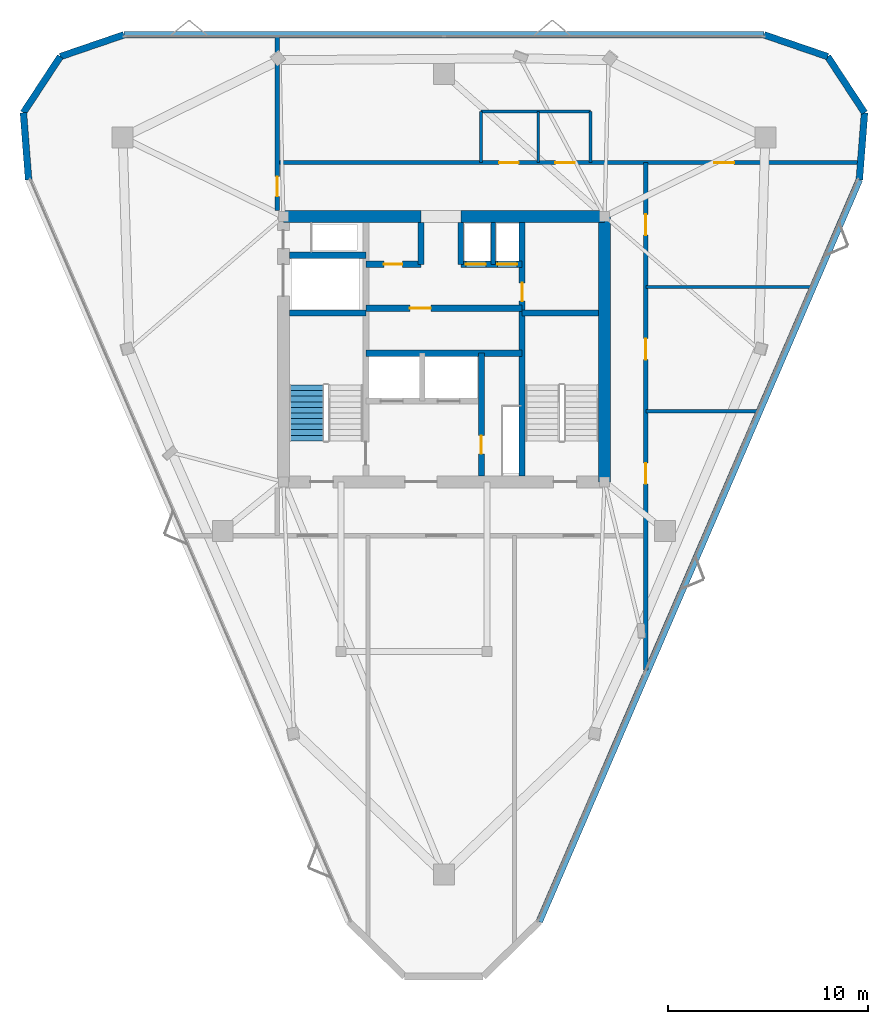
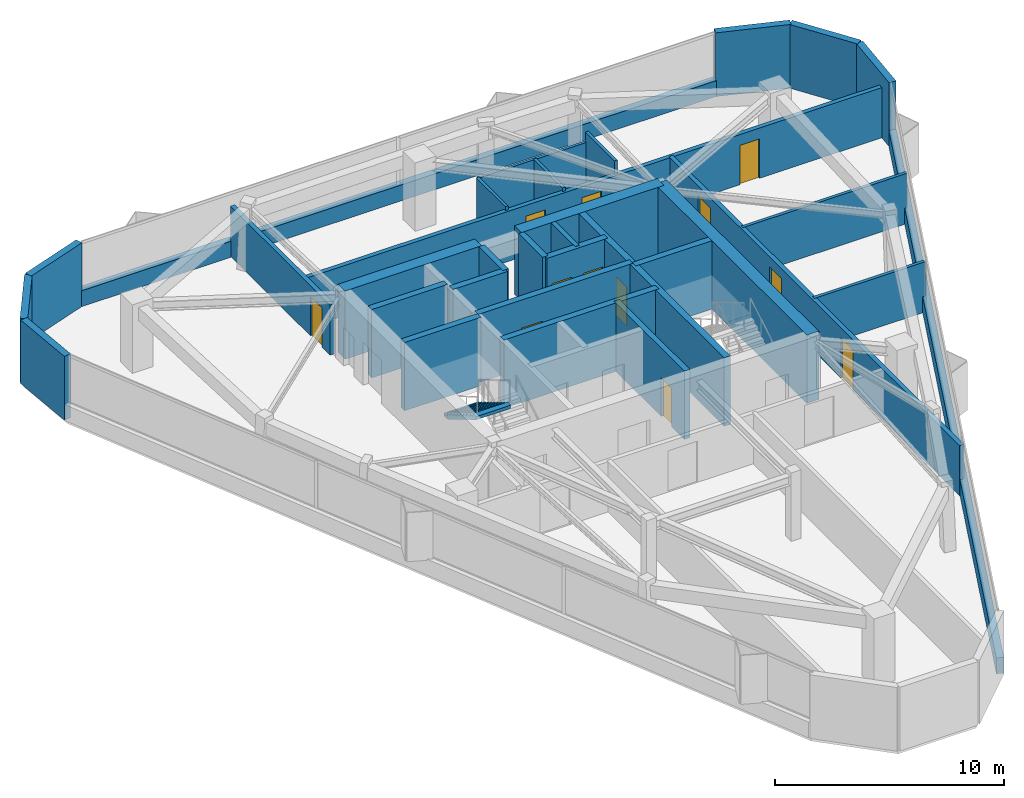
# One storey, part 7 of 9: 32 walls, 13 doors, 1 stair flight, 13 openings, 1 element without a shape of its own.
"""IFC4 building model written with IfcOpenShell, lengths in metres."""

from ifc_helpers import new_model, si_unit, direction, frame, frame_2d, origin, place, context, subcontext, project, spatial, polyline, rectangle, outline, extrude, material, layer, layer_set, type_object, element, fill, aggregate, save


model = new_model("IFC4")

# Units and contexts
model_context = context("Model", 3, precision=1e-05, world=origin(), true_north=direction((0.0, 1.0)))
body_context = subcontext(model_context, "Body", "Model", "MODEL_VIEW")
ifc_project = project(units=[si_unit("LENGTHUNIT", "METRE"), si_unit("AREAUNIT", "SQUARE_METRE"), si_unit("VOLUMEUNIT", "CUBIC_METRE"), si_unit("PLANEANGLEUNIT", "RADIAN"), si_unit("MASSUNIT", "GRAM", prefix="KILO")], contexts=[model_context])

# Site, building, storey
site_placement = place(None, origin())
site = spatial("IfcSite", under=ifc_project, at=site_placement, CompositionType="ELEMENT")
building_placement = place(site_placement, origin())
building = spatial("IfcBuilding", under=site, at=building_placement, Name="Talyreon Biosciences Tower", CompositionType="ELEMENT")
storey_placement = place(building_placement, frame((0.0, 0.0, 294.75)))
storey = spatial("IfcBuildingStorey", under=building, at=storey_placement, Name="L78", CompositionType="ELEMENT", Elevation=294.75)

# Walls
ifc_material_1 = material(Name="Concrete C50/60", Category="concrete")
ifc_layer_1 = layer(ifc_material_1, 0.219970703125)
ifc_layer_set_1 = layer_set([ifc_layer_1], Name="Concrete C50/60")
wall_type_1 = type_object("IfcWallType", Name="CoreShearWall_220", PredefinedType="SHEAR", material=ifc_layer_set_1)
wall_1_placement = place(storey_placement, frame((68.4599609375, 72.25, 0.0), z_axis=(0.0, 0.0, 1.0), x_axis=(0.0, 1.0, 0.0)))
element("IfcWall", 1, at=wall_1_placement, inside=storey, type_object=wall_type_1, Name="L78 Core Shaft Wall SWPHD", PredefinedType="SHEAR", context=body_context, shape_type="SweptSolid", body=[
    extrude(rectangle(XDim=2.10009765625, YDim=0.219970703125, at=frame_2d((1.050048828125, 0.0))), origin(), (0.0, 0.0, 1.0), 3.64990234375),
])
ifc_layer_2 = layer(ifc_material_1, 0.280029296875)
ifc_layer_set_2 = layer_set([ifc_layer_2], Name="Concrete C50/60")
wall_type_2 = type_object("IfcWallType", Name="CoreShearWall_280", PredefinedType="SHEAR", material=ifc_layer_set_2)
for number, where, z_axis, x_axis, name in (
    (2, (64.85009765625, 72.25, 0.0), (0.0, 0.0, 1.0), (0.0, 1.0, 0.0), "L78 Core Shaft Wall SWTHW"),
    (3, (66.85009765625, 72.25, 0.0), (0.0, 0.0, 1.0), (0.0, 1.0, 0.0), "L78 Core Shaft Wall SWTHE"),
):
    element("IfcWall", number, at=place(storey_placement, frame(where, z_axis=z_axis, x_axis=x_axis)), inside=storey, type_object=wall_type_2, Name=name, PredefinedType="SHEAR", context=body_context, shape_type="SweptSolid", body=[
        extrude(rectangle(XDim=2.10009765625, YDim=0.280029296875, at=frame_2d((1.050048828125, 0.0))), origin(), (0.0, 0.0, 1.0), 3.64990234375),
    ])

# Wall, opening, door
wall_2_placement = place(storey_placement, frame((67.8798828125, 61.64990234375, 0.0), z_axis=(0.0, 0.0, 1.0), x_axis=(0.0, 1.0, 0.0)))
wall_2 = element("IfcWall", 4, at=wall_2_placement, inside=storey, type_object=wall_type_2, Name="L78 Core Shaft Wall SWFFE", PredefinedType="SHEAR", context=body_context, shape_type="SweptSolid", body=[
    extrude(rectangle(XDim=6.150146484375, YDim=0.280029296875, at=frame_2d((3.0751953125, 0.0))), origin(), (0.0, 0.0, 1.0), 3.64990234375),
])
opening_1_placement = place(wall_2_placement, frame((1.10009765625, 0.0, 0.0)))
opening_1 = element("IfcOpeningElement", 5, at=opening_1_placement, cuts=wall_2, Name="Opening DR-L78-RSE", PredefinedType="OPENING", context=body_context, shape_type="SweptSolid", body=[
    extrude(rectangle(XDim=0.919921875, YDim=2.050048828125, at=frame_2d((0.4599609375, 1.02490234375))), frame((0.0, 0.14990234375, 0.0), z_axis=(0.0, -1.0, 0.0), x_axis=(1.0, 0.0, 0.0)), (0.0, 0.0, 1.0), 0.300048828125),
])
ifc_material_2 = material(Name="Painted steel fire-rated riser door", Category="steel")
door_type_1 = type_object("IfcDoorType", Name="RiserPlantAccessDoor_920x2050", OperationType="NOTDEFINED", PredefinedType="DOOR", material=ifc_material_2)
door_1_placement = place(opening_1_placement, origin())
door_1 = element("IfcDoor", 6, at=door_1_placement, inside=storey, type_object=door_type_1, Name="L78 Core Door DR-L78-RSE", OperationType="SINGLE_SWING_RIGHT", OverallHeight=2.050048828125, OverallWidth=0.919921875, PredefinedType="DOOR", context=body_context, shape_type="SweptSolid", body=[
    extrude(rectangle(XDim=0.919921875, YDim=2.050048828125, at=frame_2d((0.4599609375, 1.02490234375))), frame((0.0, 0.02490234375, 0.0), z_axis=(0.0, -1.0, 0.0), x_axis=(1.0, 0.0, 0.0)), (0.0, 0.0, 1.0), 0.050048828125),
])
fill(opening_1, door_1)

ifc_layer_3 = layer(ifc_material_1, 0.320068359375)
ifc_layer_set_3 = layer_set([ifc_layer_3], Name="Concrete C50/60")
wall_type_3 = type_object("IfcWallType", Name="CoreShearWall_320", PredefinedType="SHEAR", material=ifc_layer_set_3)
wall_3_placement = place(storey_placement, frame((69.909912109375, 61.64990234375, 0.0), z_axis=(0.0, 0.0, 1.0), x_axis=(0.0, 1.0, 0.0)))
wall_3 = element("IfcWall", 7, at=wall_3_placement, inside=storey, type_object=wall_type_3, Name="L78 Core Shaft Wall SW2W", PredefinedType="SHEAR", context=body_context, shape_type="SweptSolid", body=[
    extrude(rectangle(XDim=12.7001953125, YDim=0.320068359375, at=frame_2d((6.35009765625, 0.0))), origin(), (0.0, 0.0, 1.0), 3.64990234375),
])
opening_2_placement = place(wall_3_placement, frame((8.75, 0.0, 0.0)))
opening_2 = element("IfcOpeningElement", 8, at=opening_2_placement, cuts=wall_3, Name="Opening DR-L78-CSRV", PredefinedType="OPENING", context=body_context, shape_type="SweptSolid", body=[
    extrude(rectangle(XDim=0.919921875, YDim=2.050048828125, at=frame_2d((0.4599609375, 1.02490234375))), frame((0.0, 0.169921875, 0.0), z_axis=(0.0, -1.0, 0.0), x_axis=(1.0, 0.0, 0.0)), (0.0, 0.0, 1.0), 0.340087890625),
])
door_2_placement = place(opening_2_placement, origin())
door_2 = element("IfcDoor", 9, at=door_2_placement, inside=storey, type_object=door_type_1, Name="L78 Core Door DR-L78-CSRV", OperationType="SINGLE_SWING_RIGHT", OverallHeight=2.050048828125, OverallWidth=0.919921875, PredefinedType="DOOR", context=body_context, shape_type="SweptSolid", body=[
    extrude(rectangle(XDim=0.919921875, YDim=2.050048828125, at=frame_2d((0.4599609375, 1.02490234375))), frame((0.0, 0.02490234375, 0.0), z_axis=(0.0, -1.0, 0.0), x_axis=(1.0, 0.0, 0.0)), (0.0, 0.0, 1.0), 0.050048828125),
])
fill(opening_2, door_2)

# Walls
for number, where, z_axis, x_axis, name in (
    (10, (58.25, 69.81005859375, 0.0), (0.0, 0.0, 1.0), (1.0, 0.0, 0.0), "L78 Core Shaft Wall SW1N"),
    (11, (69.909912109375, 69.81005859375, 0.0), (0.0, 0.0, 1.0), (1.0, 0.0, 0.0), "L78 Core Shaft Wall SW2N"),
    (12, (58.25, 72.699951171875, 0.0), (0.0, 0.0, 1.0), (1.0, 0.0, 0.0), "L78 Core Shaft Wall SWGLN"),
):
    element("IfcWall", number, at=place(storey_placement, frame(where, z_axis=z_axis, x_axis=x_axis)), inside=storey, type_object=wall_type_3, Name=name, PredefinedType="SHEAR", context=body_context, shape_type="SweptSolid", body=[
        extrude(rectangle(XDim=3.840087890625, YDim=0.320068359375, at=frame_2d((1.919921875, 0.0))), origin(), (0.0, 0.0, 1.0), 3.64990234375),
    ])
wall_4_placement = place(storey_placement, frame((62.090087890625, 67.800048828125, 0.0), z_axis=(0.0, 0.0, 1.0), x_axis=(1.0, 0.0, 0.0)))
element("IfcWall", 13, at=wall_4_placement, inside=storey, type_object=wall_type_3, Name="L78 Core Shaft Wall SWSHM", PredefinedType="SHEAR", context=body_context, shape_type="SweptSolid", body=[
    extrude(rectangle(XDim=7.81982421875, YDim=0.320068359375, at=frame_2d((3.909912109375, 0.0))), origin(), (0.0, 0.0, 1.0), 3.64990234375),
])

# Wall, opening, door
wall_5_placement = place(storey_placement, frame((62.090087890625, 70.050048828125, 0.0), z_axis=(0.0, 0.0, 1.0), x_axis=(1.0, 0.0, 0.0)))
wall_5 = element("IfcWall", 14, at=wall_5_placement, inside=storey, type_object=wall_type_3, Name="L78 Core Shaft Wall SWSPN", PredefinedType="SHEAR", context=body_context, shape_type="SweptSolid", body=[
    extrude(rectangle(XDim=7.81982421875, YDim=0.320068359375, at=frame_2d((3.909912109375, 0.0))), origin(), (0.0, 0.0, 1.0), 3.64990234375),
])
opening_3_placement = place(wall_5_placement, frame((2.199951171875, 0.0, 0.0)))
opening_3 = element("IfcOpeningElement", 15, at=opening_3_placement, cuts=wall_5, Name="Opening DR-L78-PLPMFREE", PredefinedType="OPENING", context=body_context, shape_type="SweptSolid", body=[
    extrude(rectangle(XDim=1.050048828125, YDim=2.14990234375, at=frame_2d((0.52490234375, 1.074951171875))), frame((0.0, 0.169921875, 0.0), z_axis=(0.0, -1.0, 0.0), x_axis=(1.0, 0.0, 0.0)), (0.0, 0.0, 1.0), 0.340087890625),
])
ifc_material_3 = material(Name="Acoustic timber-core laboratory door", Category="wood")
door_type_2 = type_object("IfcDoorType", Name="DryLabSingleDoor_1050x2150", OperationType="NOTDEFINED", PredefinedType="DOOR", material=ifc_material_3)
door_3_placement = place(opening_3_placement, origin())
door_3 = element("IfcDoor", 16, at=door_3_placement, inside=storey, type_object=door_type_2, Name="L78 Core Door DR-L78-PLPMFREE", OperationType="SINGLE_SWING_LEFT", OverallHeight=2.14990234375, OverallWidth=1.050048828125, PredefinedType="DOOR", context=body_context, shape_type="SweptSolid", body=[
    extrude(rectangle(XDim=1.050048828125, YDim=2.14990234375, at=frame_2d((0.52490234375, 1.074951171875))), frame((0.0, 0.02490234375, 0.0), z_axis=(0.0, -1.0, 0.0), x_axis=(1.0, 0.0, 0.0)), (0.0, 0.0, 1.0), 0.050048828125),
])
fill(opening_3, door_3)

wall_6_placement = place(storey_placement, frame((62.090087890625, 72.25, 0.0), z_axis=(0.0, 0.0, 1.0), x_axis=(1.0, 0.0, 0.0)))
wall_6 = element("IfcWall", 17, at=wall_6_placement, inside=storey, type_object=wall_type_3, Name="L78 Core Shaft Wall SWNPW", PredefinedType="SHEAR", context=body_context, shape_type="SweptSolid", body=[
    extrude(rectangle(XDim=2.760009765625, YDim=0.320068359375, at=frame_2d((1.3798828125, 0.0))), origin(), (0.0, 0.0, 1.0), 3.64990234375),
])
opening_4_placement = place(wall_6_placement, frame((0.89990234375, 0.0, 0.0)))
opening_4 = element("IfcOpeningElement", 18, at=opening_4_placement, cuts=wall_6, Name="Opening DR-L78-PM2FREE", PredefinedType="OPENING", context=body_context, shape_type="SweptSolid", body=[
    extrude(rectangle(XDim=0.919921875, YDim=2.050048828125, at=frame_2d((0.4599609375, 1.02490234375))), frame((0.0, 0.169921875, 0.0), z_axis=(0.0, -1.0, 0.0), x_axis=(1.0, 0.0, 0.0)), (0.0, 0.0, 1.0), 0.340087890625),
])
door_4_placement = place(opening_4_placement, origin())
door_4 = element("IfcDoor", 19, at=door_4_placement, inside=storey, type_object=door_type_1, Name="L78 Core Door DR-L78-PM2FREE", OperationType="SINGLE_SWING_RIGHT", OverallHeight=2.050048828125, OverallWidth=0.919921875, PredefinedType="DOOR", context=body_context, shape_type="SweptSolid", body=[
    extrude(rectangle(XDim=0.919921875, YDim=2.050048828125, at=frame_2d((0.4599609375, 1.02490234375))), frame((0.0, 0.02490234375, 0.0), z_axis=(0.0, -1.0, 0.0), x_axis=(1.0, 0.0, 0.0)), (0.0, 0.0, 1.0), 0.050048828125),
])
fill(opening_4, door_4)

# Wall, openings, doors
wall_7_placement = place(storey_placement, frame((66.85009765625, 72.25, 0.0), z_axis=(0.0, 0.0, 1.0), x_axis=(1.0, 0.0, 0.0)))
wall_7 = element("IfcWall", 20, at=wall_7_placement, inside=storey, type_object=wall_type_3, Name="L78 Core Shaft Wall SWNPE", PredefinedType="SHEAR", context=body_context, shape_type="SweptSolid", body=[
    extrude(rectangle(XDim=3.059814453125, YDim=0.320068359375, at=frame_2d((1.52978515625, 0.0))), origin(), (0.0, 0.0, 1.0), 3.64990234375),
])
opening_5_placement = place(wall_7_placement, frame((0.25, 0.0, 0.0)))
opening_5 = element("IfcOpeningElement", 21, at=opening_5_placement, cuts=wall_7, Name="Opening LD-L78-PH1", PredefinedType="OPENING", context=body_context, shape_type="SweptSolid", body=[
    extrude(rectangle(XDim=1.0, YDim=2.199951171875, at=frame_2d((0.5, 1.10009765625))), frame((0.0, 0.169921875, 0.0), z_axis=(0.0, -1.0, 0.0), x_axis=(1.0, 0.0, 0.0)), (0.0, 0.0, 1.0), 0.340087890625),
])
opening_6_placement = place(wall_7_placement, frame((1.820068359375, 0.0, 0.0)))
opening_6 = element("IfcOpeningElement", 22, at=opening_6_placement, cuts=wall_7, Name="Opening LD-L78-PH2", PredefinedType="OPENING", context=body_context, shape_type="SweptSolid", body=[
    extrude(rectangle(XDim=1.0, YDim=2.199951171875, at=frame_2d((0.5, 1.10009765625))), frame((0.0, 0.169921875, 0.0), z_axis=(0.0, -1.0, 0.0), x_axis=(1.0, 0.0, 0.0)), (0.0, 0.0, 1.0), 0.340087890625),
])
ifc_material_4 = material(Name="Brushed stainless-steel lift landing door", Category="steel")
door_type_3 = type_object("IfcDoorType", Name="LiftSlidingLandingDoor_1100x2200", OperationType="SLIDING_TO_LEFT", PredefinedType="DOOR", material=ifc_material_4)
door_5_placement = place(opening_5_placement, origin())
door_5 = element("IfcDoor", 23, at=door_5_placement, inside=storey, type_object=door_type_3, Name="L78 Core Door LD-L78-PH1", OperationType="SLIDING_TO_LEFT", OverallHeight=2.199951171875, OverallWidth=1.0, PredefinedType="DOOR", context=body_context, shape_type="SweptSolid", body=[
    extrude(rectangle(XDim=1.0, YDim=2.199951171875, at=frame_2d((0.5, 1.10009765625))), frame((0.0, 0.02490234375, 0.0), z_axis=(0.0, -1.0, 0.0), x_axis=(1.0, 0.0, 0.0)), (0.0, 0.0, 1.0), 0.050048828125),
])
fill(opening_5, door_5)
door_6_placement = place(opening_6_placement, origin())
door_6 = element("IfcDoor", 24, at=door_6_placement, inside=storey, type_object=door_type_3, Name="L78 Core Door LD-L78-PH2", OperationType="SLIDING_TO_LEFT", OverallHeight=2.199951171875, OverallWidth=1.0, PredefinedType="DOOR", context=body_context, shape_type="SweptSolid", body=[
    extrude(rectangle(XDim=1.0, YDim=2.199951171875, at=frame_2d((0.5, 1.10009765625))), frame((0.0, 0.02490234375, 0.0), z_axis=(0.0, -1.0, 0.0), x_axis=(1.0, 0.0, 0.0)), (0.0, 0.0, 1.0), 0.050048828125),
])
fill(opening_6, door_6)

# Walls
ifc_layer_4 = layer(ifc_material_1, 0.60009765625)
ifc_layer_set_4 = layer_set([ifc_layer_4], Name="Concrete C50/60")
wall_type_4 = type_object("IfcWallType", Name="CoreShearWall_600", PredefinedType="SHEAR", material=ifc_layer_set_4)
wall_8_placement = place(storey_placement, frame((74.050048828125, 61.35009765625, 0.0), z_axis=(0.0, 0.0, 1.0), x_axis=(0.0, 1.0, 0.0)))
element("IfcWall", 25, at=wall_8_placement, inside=storey, type_object=wall_type_4, Name="L78 Core Shear Wall E", PredefinedType="SHEAR", context=body_context, shape_type="SweptSolid", body=[
    extrude(rectangle(XDim=13.2998046875, YDim=0.60009765625, at=frame_2d((6.64990234375, 0.0))), origin(), (0.0, 0.0, 1.0), 3.64990234375),
])
wall_9_placement = place(storey_placement, frame((74.050048828125, 74.64990234375, 0.0), z_axis=(0.0, 0.0, 1.0), x_axis=(-1.0, 0.0, 0.0)))
element("IfcWall", 26, at=wall_9_placement, inside=storey, type_object=wall_type_4, Name="L78 Core Shear Wall NE", PredefinedType="SHEAR", context=body_context, shape_type="SweptSolid", body=[
    extrude(rectangle(XDim=7.199951171875, YDim=0.60009765625, at=frame_2d((3.60009765625, 0.0))), origin(), (0.0, 0.0, 1.0), 3.64990234375),
])
wall_10_placement = place(storey_placement, frame((64.85009765625, 74.64990234375, 0.0), z_axis=(0.0, 0.0, 1.0), x_axis=(-1.0, 0.0, 0.0)))
element("IfcWall", 27, at=wall_10_placement, inside=storey, type_object=wall_type_4, Name="L78 Core Shear Wall NW", PredefinedType="SHEAR", context=body_context, shape_type="SweptSolid", body=[
    extrude(rectangle(XDim=6.900146484375, YDim=0.60009765625, at=frame_2d((3.4501953125, 0.0))), origin(), (0.0, 0.0, 1.0), 3.64990234375),
])

# Wall, openings, doors
ifc_material_5 = material(Name="Gypsum fireboard acoustic stud", Category="gypsum")
ifc_layer_5 = layer(ifc_material_5, 0.219970703125)
ifc_layer_set_5 = layer_set([ifc_layer_5], Name="Gypsum fireboard acoustic stud")
wall_type_5 = type_object("IfcWallType", Name="CorridorRatedPartition_220", PredefinedType="PARTITIONING", material=ifc_layer_set_5)
wall_11_placement = place(storey_placement, frame((57.64990234375, 77.35009765625, 0.0), z_axis=(0.0, 0.0, 1.0), x_axis=(1.0, 0.0, 0.0)))
wall_11 = element("IfcWall", 28, at=wall_11_placement, inside=storey, type_object=wall_type_5, Name="L78 Interior Wall IW-L78-COR-N", PredefinedType="PARTITIONING", context=body_context, shape_type="SweptSolid", body=[
    extrude(rectangle(XDim=29.148681640625, YDim=0.219970703125, at=frame_2d((14.57421875, 0.0))), origin(), (0.0, 0.0, 1.0), 2.679931640625),
])
opening_7_placement = place(wall_11_placement, frame((11.110107421875, 0.0, 0.0)))
opening_7 = element("IfcOpeningElement", 29, at=opening_7_placement, cuts=wall_11, Name="Opening DR-L78-WC", PredefinedType="OPENING", context=body_context, shape_type="SweptSolid", body=[
    extrude(rectangle(XDim=0.97998046875, YDim=2.10009765625, at=frame_2d((0.489990234375, 1.050048828125))), frame((0.0, 0.119873046875, 0.0), z_axis=(0.0, -1.0, 0.0), x_axis=(1.0, 0.0, 0.0)), (0.0, 0.0, 1.0), 0.239990234375),
])
opening_8_placement = place(wall_11_placement, frame((13.93505859375, 0.0, 0.0)))
opening_8 = element("IfcOpeningElement", 30, at=opening_8_placement, cuts=wall_11, Name="Opening DR-L78-AWC", PredefinedType="OPENING", context=body_context, shape_type="SweptSolid", body=[
    extrude(rectangle(XDim=0.97998046875, YDim=2.10009765625, at=frame_2d((0.489990234375, 1.050048828125))), frame((0.0, 0.119873046875, 0.0), z_axis=(0.0, -1.0, 0.0), x_axis=(1.0, 0.0, 0.0)), (0.0, 0.0, 1.0), 0.239990234375),
])
opening_9_placement = place(wall_11_placement, frame((21.888916015625, 0.0, 0.0)))
opening_9 = element("IfcOpeningElement", 31, at=opening_9_placement, cuts=wall_11, Name="Opening DR-L78-N1A", PredefinedType="OPENING", context=body_context, shape_type="SweptSolid", body=[
    extrude(rectangle(XDim=1.0, YDim=2.10009765625, at=frame_2d((0.5, 1.050048828125))), frame((0.0, 0.119873046875, 0.0), z_axis=(0.0, -1.0, 0.0), x_axis=(1.0, 0.0, 0.0)), (0.0, 0.0, 1.0), 0.239990234375),
])
ifc_material_6 = material(Name="Laminate moisture-resistant door", Category="wood")
door_type_4 = type_object("IfcDoorType", Name="AccessibleToiletDoor_980x2100", OperationType="NOTDEFINED", PredefinedType="DOOR", material=ifc_material_6)
door_7_placement = place(opening_7_placement, origin())
door_7 = element("IfcDoor", 32, at=door_7_placement, inside=storey, type_object=door_type_4, Name="L78 Interior Door DR-L78-WC", OperationType="SINGLE_SWING_RIGHT", OverallHeight=2.10009765625, OverallWidth=0.97998046875, PredefinedType="DOOR", context=body_context, shape_type="SweptSolid", body=[
    extrude(rectangle(XDim=0.97998046875, YDim=2.10009765625, at=frame_2d((0.489990234375, 1.050048828125))), frame((0.0, 0.02490234375, 0.0), z_axis=(0.0, -1.0, 0.0), x_axis=(1.0, 0.0, 0.0)), (0.0, 0.0, 1.0), 0.050048828125),
])
fill(opening_7, door_7)
door_8_placement = place(opening_8_placement, origin())
door_8 = element("IfcDoor", 33, at=door_8_placement, inside=storey, type_object=door_type_4, Name="L78 Interior Door DR-L78-AWC", OperationType="SINGLE_SWING_RIGHT", OverallHeight=2.10009765625, OverallWidth=0.97998046875, PredefinedType="DOOR", context=body_context, shape_type="SweptSolid", body=[
    extrude(rectangle(XDim=0.97998046875, YDim=2.10009765625, at=frame_2d((0.489990234375, 1.050048828125))), frame((0.0, 0.02490234375, 0.0), z_axis=(0.0, -1.0, 0.0), x_axis=(1.0, 0.0, 0.0)), (0.0, 0.0, 1.0), 0.050048828125),
])
fill(opening_8, door_8)
ifc_material_7 = material(Name="Acoustic oak veneer office door", Category="wood")
door_type_5 = type_object("IfcDoorType", Name="WriteupOfficeDoor_1000x2100", OperationType="NOTDEFINED", PredefinedType="DOOR", material=ifc_material_7)
door_9_placement = place(opening_9_placement, origin())
door_9 = element("IfcDoor", 34, at=door_9_placement, inside=storey, type_object=door_type_5, Name="L78 Interior Door DR-L78-N1A", OperationType="SINGLE_SWING_LEFT", OverallHeight=2.10009765625, OverallWidth=1.0, PredefinedType="DOOR", context=body_context, shape_type="SweptSolid", body=[
    extrude(rectangle(XDim=1.0, YDim=2.10009765625, at=frame_2d((0.5, 1.050048828125))), frame((0.0, 0.02490234375, 0.0), z_axis=(0.0, -1.0, 0.0), x_axis=(1.0, 0.0, 0.0)), (0.0, 0.0, 1.0), 0.050048828125),
])
fill(opening_9, door_9)

# Wall, opening, door
wall_12_placement = place(storey_placement, frame((57.64990234375, 74.949951171875, 0.0), z_axis=(0.0, 0.0, 1.0), x_axis=(0.0, 1.0, 0.0)))
wall_12 = element("IfcWall", 35, at=wall_12_placement, inside=storey, type_object=wall_type_5, Name="L78 Interior Wall IW-L78-WCAP-N", PredefinedType="PARTITIONING", context=body_context, shape_type="SweptSolid", body=[
    extrude(rectangle(XDim=8.71533203125, YDim=0.219970703125, at=frame_2d((4.357666015625, 0.0))), origin(), (0.0, 0.0, 1.0), 2.679931640625),
])
opening_10_placement = place(wall_12_placement, frame((0.699951171875, 0.0, 0.0)))
opening_10 = element("IfcOpeningElement", 36, at=opening_10_placement, cuts=wall_12, Name="Opening DR-L78-W1A", PredefinedType="OPENING", context=body_context, shape_type="SweptSolid", body=[
    extrude(rectangle(XDim=1.0, YDim=2.10009765625, at=frame_2d((0.5, 1.050048828125))), frame((0.0, 0.119873046875, 0.0), z_axis=(0.0, -1.0, 0.0), x_axis=(1.0, 0.0, 0.0)), (0.0, 0.0, 1.0), 0.239990234375),
])
door_10_placement = place(opening_10_placement, origin())
door_10 = element("IfcDoor", 37, at=door_10_placement, inside=storey, type_object=door_type_5, Name="L78 Interior Door DR-L78-W1A", OperationType="SINGLE_SWING_RIGHT", OverallHeight=2.10009765625, OverallWidth=1.0, PredefinedType="DOOR", context=body_context, shape_type="SweptSolid", body=[
    extrude(rectangle(XDim=1.0, YDim=2.10009765625, at=frame_2d((0.5, 1.050048828125))), frame((0.0, 0.02490234375, 0.0), z_axis=(0.0, -1.0, 0.0), x_axis=(1.0, 0.0, 0.0)), (0.0, 0.0, 1.0), 0.050048828125),
])
fill(opening_10, door_10)

# Wall, openings, doors
wall_13_placement = place(storey_placement, frame((76.1201171875, 51.91162109375, 0.0), z_axis=(0.0, 0.0, 1.0), x_axis=(0.0, 1.0, 0.0)))
wall_13 = element("IfcWall", 38, at=wall_13_placement, inside=storey, type_object=wall_type_5, Name="L78 Interior Wall IW-L78-COR-E", PredefinedType="PARTITIONING", context=body_context, shape_type="SweptSolid", body=[
    extrude(rectangle(XDim=25.4384765625, YDim=0.219970703125, at=frame_2d((12.71923828125, 0.0))), origin(), (0.0, 0.0, 1.0), 2.679931640625),
])
opening_11_placement = place(wall_13_placement, frame((9.330078125, 0.0, 0.0)))
opening_11 = element("IfcOpeningElement", 39, at=opening_11_placement, cuts=wall_13, Name="Opening DR-L78-E1A", PredefinedType="OPENING", context=body_context, shape_type="SweptSolid", body=[
    extrude(rectangle(XDim=1.050048828125, YDim=2.14990234375, at=frame_2d((0.52490234375, 1.074951171875))), frame((0.0, 0.119873046875, 0.0), z_axis=(0.0, -1.0, 0.0), x_axis=(1.0, 0.0, 0.0)), (0.0, 0.0, 1.0), 0.239990234375),
])
opening_12_placement = place(wall_13_placement, frame((15.56298828125, 0.0, 0.0)))
opening_12 = element("IfcOpeningElement", 40, at=opening_12_placement, cuts=wall_13, Name="Opening DR-L78-E2A", PredefinedType="OPENING", context=body_context, shape_type="SweptSolid", body=[
    extrude(rectangle(XDim=1.050048828125, YDim=2.14990234375, at=frame_2d((0.52490234375, 1.074951171875))), frame((0.0, 0.119873046875, 0.0), z_axis=(0.0, -1.0, 0.0), x_axis=(1.0, 0.0, 0.0)), (0.0, 0.0, 1.0), 0.239990234375),
])
opening_13_placement = place(wall_13_placement, frame((21.797119140625, 0.0, 0.0)))
opening_13 = element("IfcOpeningElement", 41, at=opening_13_placement, cuts=wall_13, Name="Opening DR-L78-E3A", PredefinedType="OPENING", context=body_context, shape_type="SweptSolid", body=[
    extrude(rectangle(XDim=1.050048828125, YDim=2.14990234375, at=frame_2d((0.52490234375, 1.074951171875))), frame((0.0, 0.119873046875, 0.0), z_axis=(0.0, -1.0, 0.0), x_axis=(1.0, 0.0, 0.0)), (0.0, 0.0, 1.0), 0.239990234375),
])
door_11_placement = place(opening_11_placement, origin())
door_11 = element("IfcDoor", 42, at=door_11_placement, inside=storey, type_object=door_type_2, Name="L78 Interior Door DR-L78-E1A", OperationType="SINGLE_SWING_LEFT", OverallHeight=2.14990234375, OverallWidth=1.050048828125, PredefinedType="DOOR", context=body_context, shape_type="SweptSolid", body=[
    extrude(rectangle(XDim=1.050048828125, YDim=2.14990234375, at=frame_2d((0.52490234375, 1.074951171875))), frame((0.0, 0.02490234375, 0.0), z_axis=(0.0, -1.0, 0.0), x_axis=(1.0, 0.0, 0.0)), (0.0, 0.0, 1.0), 0.050048828125),
])
fill(opening_11, door_11)
door_12_placement = place(opening_12_placement, origin())
door_12 = element("IfcDoor", 43, at=door_12_placement, inside=storey, type_object=door_type_2, Name="L78 Interior Door DR-L78-E2A", OperationType="SINGLE_SWING_RIGHT", OverallHeight=2.14990234375, OverallWidth=1.050048828125, PredefinedType="DOOR", context=body_context, shape_type="SweptSolid", body=[
    extrude(rectangle(XDim=1.050048828125, YDim=2.14990234375, at=frame_2d((0.52490234375, 1.074951171875))), frame((0.0, 0.02490234375, 0.0), z_axis=(0.0, -1.0, 0.0), x_axis=(1.0, 0.0, 0.0)), (0.0, 0.0, 1.0), 0.050048828125),
])
fill(opening_12, door_12)
door_13_placement = place(opening_13_placement, origin())
door_13 = element("IfcDoor", 44, at=door_13_placement, inside=storey, type_object=door_type_2, Name="L78 Interior Door DR-L78-E3A", OperationType="SINGLE_SWING_RIGHT", OverallHeight=2.14990234375, OverallWidth=1.050048828125, PredefinedType="DOOR", context=body_context, shape_type="SweptSolid", body=[
    extrude(rectangle(XDim=1.050048828125, YDim=2.14990234375, at=frame_2d((0.52490234375, 1.074951171875))), frame((0.0, 0.02490234375, 0.0), z_axis=(0.0, -1.0, 0.0), x_axis=(1.0, 0.0, 0.0)), (0.0, 0.0, 1.0), 0.050048828125),
])
fill(opening_13, door_13)

# Walls
ifc_material_8 = material(Name="Gypsum acoustic stud partition", Category="gypsum")
ifc_layer_6 = layer(ifc_material_8, 0.159912109375)
ifc_layer_set_6 = layer_set([ifc_layer_6], Name="Gypsum acoustic stud partition")
wall_type_6 = type_object("IfcWallType", Name="LabSeparationPartition_160", PredefinedType="PARTITIONING", material=ifc_layer_set_6)
wall_14_placement = place(storey_placement, frame((76.1201171875, 64.883056640625, 0.0), z_axis=(0.0, 0.0, 1.0), x_axis=(1.0, 0.0, 0.0)))
element("IfcWall", 45, at=wall_14_placement, inside=storey, type_object=wall_type_6, Name="L78 Interior Wall IW-L78-EDIV1", PredefinedType="PARTITIONING", context=body_context, shape_type="SweptSolid", body=[
    extrude(rectangle(XDim=5.59619140625, YDim=0.159912109375, at=frame_2d((2.798095703125, 0.0))), origin(), (0.0, 0.0, 1.0), 2.679931640625),
])
wall_15_placement = place(storey_placement, frame((76.1201171875, 71.116943359375, 0.0), z_axis=(0.0, 0.0, 1.0), x_axis=(1.0, 0.0, 0.0)))
element("IfcWall", 46, at=wall_15_placement, inside=storey, type_object=wall_type_6, Name="L78 Interior Wall IW-L78-EDIV2", PredefinedType="PARTITIONING", context=body_context, shape_type="SweptSolid", body=[
    extrude(rectangle(XDim=8.285888671875, YDim=0.159912109375, at=frame_2d((4.14306640625, 0.0))), origin(), (0.0, 0.0, 1.0), 2.679931640625),
])
ifc_material_9 = material(Name="Precast concrete C45/55", Category="concrete")
ifc_layer_7 = layer(ifc_material_9, 0.340087890625)
ifc_layer_set_7 = layer_set([ifc_layer_7], Name="Precast concrete C45/55")
wall_type_7 = type_object("IfcWallType", Name="PrecastConcreteSpandrelWall_340", PredefinedType="STANDARD", material=ifc_layer_set_7)
wall_16_placement = place(storey_placement, frame((45.18310546875, 76.490478515625, 0.0), z_axis=(0.0, 0.0, 1.0), x_axis=(-0.077517157496, 0.996991018161, 0.0)))
element("IfcWall", 47, at=wall_16_placement, inside=storey, type_object=wall_type_7, Name="L78 Rounded-Corner Concrete Pier 01", PredefinedType="STANDARD", context=body_context, shape_type="SweptSolid", body=[
    extrude(rectangle(XDim=3.36669921875, YDim=0.340087890625, at=frame_2d((1.683349609375, 0.0))), origin(), (0.0, 0.0, 1.0), 3.39990234375),
])
wall_17_placement = place(storey_placement, frame((44.922119140625, 79.84716796875, 0.0), z_axis=(0.0, 0.0, 1.0), x_axis=(0.549468672456, 0.83551431944, 0.0)))
element("IfcWall", 48, at=wall_17_placement, inside=storey, type_object=wall_type_7, Name="L78 Rounded-Corner Concrete Pier 02", PredefinedType="STANDARD", context=body_context, shape_type="SweptSolid", body=[
    extrude(rectangle(XDim=3.3671875, YDim=0.340087890625, at=frame_2d((1.68359375, 0.0))), origin(), (0.0, 0.0, 1.0), 3.39990234375),
])
wall_18_placement = place(storey_placement, frame((46.772216796875, 82.660400390625, 0.0), z_axis=(0.0, 0.0, 1.0), x_axis=(0.946159309449, 0.323701345599, 0.0)))
element("IfcWall", 49, at=wall_18_placement, inside=storey, type_object=wall_type_7, Name="L78 Rounded-Corner Concrete Pier 03", PredefinedType="STANDARD", context=body_context, shape_type="SweptSolid", body=[
    extrude(rectangle(XDim=3.36669921875, YDim=0.340087890625, at=frame_2d((1.683349609375, 0.0))), origin(), (0.0, 0.0, 1.0), 3.39990234375),
])
wall_19_placement = place(storey_placement, frame((49.957763671875, 83.750244140625, 0.0), z_axis=(0.0, 0.0, 1.0), x_axis=(1.0, 0.0, 0.0)))
element("IfcWall", 50, at=wall_19_placement, inside=storey, type_object=wall_type_7, Name="L78 Expressed Concrete Sill Wall 04", PredefinedType="STANDARD", context=body_context, shape_type="SweptSolid", body=[
    extrude(rectangle(XDim=32.08447265625, YDim=0.340087890625, at=frame_2d((16.042236328125, 0.0))), origin(), (0.0, 0.0, 1.0), 0.85009765625),
])
wall_20_placement = place(storey_placement, frame((82.042236328125, 83.750244140625, 0.0), z_axis=(0.0, 0.0, 1.0), x_axis=(0.946159309449, -0.323701345599, 0.0)))
element("IfcWall", 51, at=wall_20_placement, inside=storey, type_object=wall_type_7, Name="L78 Rounded-Corner Concrete Pier 05", PredefinedType="STANDARD", context=body_context, shape_type="SweptSolid", body=[
    extrude(rectangle(XDim=3.36669921875, YDim=0.340087890625, at=frame_2d((1.683349609375, 0.0))), origin(), (0.0, 0.0, 1.0), 3.39990234375),
])
wall_21_placement = place(storey_placement, frame((85.227783203125, 82.660400390625, 0.0), z_axis=(0.0, 0.0, 1.0), x_axis=(0.549468672456, -0.83551431944, 0.0)))
element("IfcWall", 52, at=wall_21_placement, inside=storey, type_object=wall_type_7, Name="L78 Rounded-Corner Concrete Pier 06", PredefinedType="STANDARD", context=body_context, shape_type="SweptSolid", body=[
    extrude(rectangle(XDim=3.3671875, YDim=0.340087890625, at=frame_2d((1.68359375, 0.0))), origin(), (0.0, 0.0, 1.0), 3.39990234375),
])
wall_22_placement = place(storey_placement, frame((87.077880859375, 79.84716796875, 0.0), z_axis=(0.0, 0.0, 1.0), x_axis=(-0.077517157496, -0.996991018161, 0.0)))
element("IfcWall", 53, at=wall_22_placement, inside=storey, type_object=wall_type_7, Name="L78 Rounded-Corner Concrete Pier 07", PredefinedType="STANDARD", context=body_context, shape_type="SweptSolid", body=[
    extrude(rectangle(XDim=3.36669921875, YDim=0.340087890625, at=frame_2d((1.683349609375, 0.0))), origin(), (0.0, 0.0, 1.0), 3.39990234375),
])
wall_23_placement = place(storey_placement, frame((86.81689453125, 76.490478515625, 0.0), z_axis=(0.0, 0.0, 1.0), x_axis=(-0.396144631021, -0.918188124141, 0.0)))
element("IfcWall", 54, at=wall_23_placement, inside=storey, type_object=wall_type_7, Name="L78 Expressed Concrete Sill Wall 08", PredefinedType="STANDARD", context=body_context, shape_type="SweptSolid", body=[
    extrude(rectangle(XDim=40.495849609375, YDim=0.340087890625, at=frame_2d((20.248046875, 0.0))), origin(), (0.0, 0.0, 1.0), 0.85009765625),
])
ifc_material_10 = material(Name="Moisture-resistant cement-board stud", Category="gypsum")
ifc_layer_8 = layer(ifc_material_10, 0.14501953125)
ifc_layer_set_8 = layer_set([ifc_layer_8], Name="Moisture-resistant cement-board stud")
wall_type_8 = type_object("IfcWallType", Name="WetRoomPartition_145", PredefinedType="PARTITIONING", material=ifc_layer_set_8)
for number, where, z_axis, x_axis, name in (
    (55, (67.85009765625, 77.35009765625, 0.0), (0.0, 0.0, 1.0), (0.0, 1.0, 0.0), "L78 Interior Wall IW-L78-WCL"),
    (56, (70.72509765625, 77.35009765625, 0.0), (0.0, 0.0, 1.0), (0.0, 1.0, 0.0), "L78 Interior Wall IW-L78-WCM"),
):
    element("IfcWall", number, at=place(storey_placement, frame(where, z_axis=z_axis, x_axis=x_axis)), inside=storey, type_object=wall_type_8, Name=name, PredefinedType="PARTITIONING", context=body_context, shape_type="SweptSolid", body=[
        extrude(rectangle(XDim=2.5498046875, YDim=0.14501953125, at=frame_2d((1.27490234375, 0.0))), origin(), (0.0, 0.0, 1.0), 2.8798828125),
    ])
wall_24_placement = place(storey_placement, frame((73.35009765625, 77.35009765625, 0.0), z_axis=(0.0, 0.0, 1.0), x_axis=(0.0, 1.0, 0.0)))
element("IfcWall", 57, at=wall_24_placement, inside=storey, type_object=wall_type_8, Name="L78 Interior Wall IW-L78-WCR", PredefinedType="PARTITIONING", context=body_context, shape_type="SweptSolid", body=[
    extrude(rectangle(XDim=2.5498046875, YDim=0.14501953125, at=frame_2d((1.27490234375, 0.0))), origin(), (0.0, 0.0, 1.0), 3.39990234375),
])
wall_25_placement = place(storey_placement, frame((67.85009765625, 79.89990234375, 0.0), z_axis=(0.0, 0.0, 1.0), x_axis=(1.0, 0.0, 0.0)))
element("IfcWall", 58, at=wall_25_placement, inside=storey, type_object=wall_type_8, Name="L78 Interior Wall IW-L78-WCT", PredefinedType="PARTITIONING", context=body_context, shape_type="SweptSolid", body=[
    extrude(rectangle(XDim=5.5, YDim=0.14501953125, at=frame_2d((2.75, 0.0))), origin(), (0.0, 0.0, 1.0), 2.8798828125),
])

# Stair, stair flight
ifc_material_11 = material(Name="Concrete C40/50", Category="concrete")
stair_type = type_object("IfcStairType", Name="DoglegEscapeStair_3650", PredefinedType="HALF_TURN_STAIR", material=ifc_material_11)
stair_placement = place(storey_placement, origin())
stair = element("IfcStair", 59, at=stair_placement, inside=storey, type_object=stair_type, Name="L78 Core Escape Stair 1", PredefinedType="HALF_TURN_STAIR")
stair_flight_type = type_object("IfcStairFlightType", Name="PrecastStairFlight_3650", PredefinedType="STRAIGHT", material=ifc_material_11)
stair_flight_placement = place(storey_placement, frame((59.1201171875, 66.199951171875, 1.824951171875), z_axis=(0.0, 0.0, 1.0), x_axis=(0.0, -1.0, 0.0)))
stair_flight = element("IfcStairFlight", 60, at=stair_flight_placement, type_object=stair_flight_type, Name="ST-1 flight 2", NumberOfRisers=11, NumberOfTreads=10, PredefinedType="STRAIGHT", RiserHeight=0.165909091, TreadLength=0.28, context=body_context, shape_type="SweptSolid", body=[
    extrude(outline(polyline([(0.0, 0.0), (0.0, 0.166015625), (0.280029296875, 0.166015625), (0.280029296875, 0.331787109375), (0.56005859375, 0.331787109375), (0.56005859375, 0.497802734375), (0.840087890625, 0.497802734375), (0.840087890625, 0.66357421875), (1.1201171875, 0.66357421875), (1.1201171875, 0.82958984375), (1.39990234375, 0.82958984375), (1.39990234375, 0.995361328125), (1.679931640625, 0.995361328125), (1.679931640625, 1.161376953125), (1.9599609375, 1.161376953125), (1.9599609375, 1.327392578125), (2.239990234375, 1.327392578125), (2.239990234375, 1.4931640625), (2.52001953125, 1.4931640625), (2.52001953125, 1.6591796875), (2.800048828125, 1.6591796875), (2.800048828125, 1.824951171875), (2.800048828125, 1.48486328125), (0.2939453125, 0.0), (0.0, 0.0)])), frame((0.0, 0.8701171875, 0.0), z_axis=(0.0, -1.0, 0.0), x_axis=(1.0, 0.0, 0.0)), (0.0, 0.0, 1.0), 1.739990234375),
])
aggregate(stair, [stair_flight])

save(model, "model.ifc")
